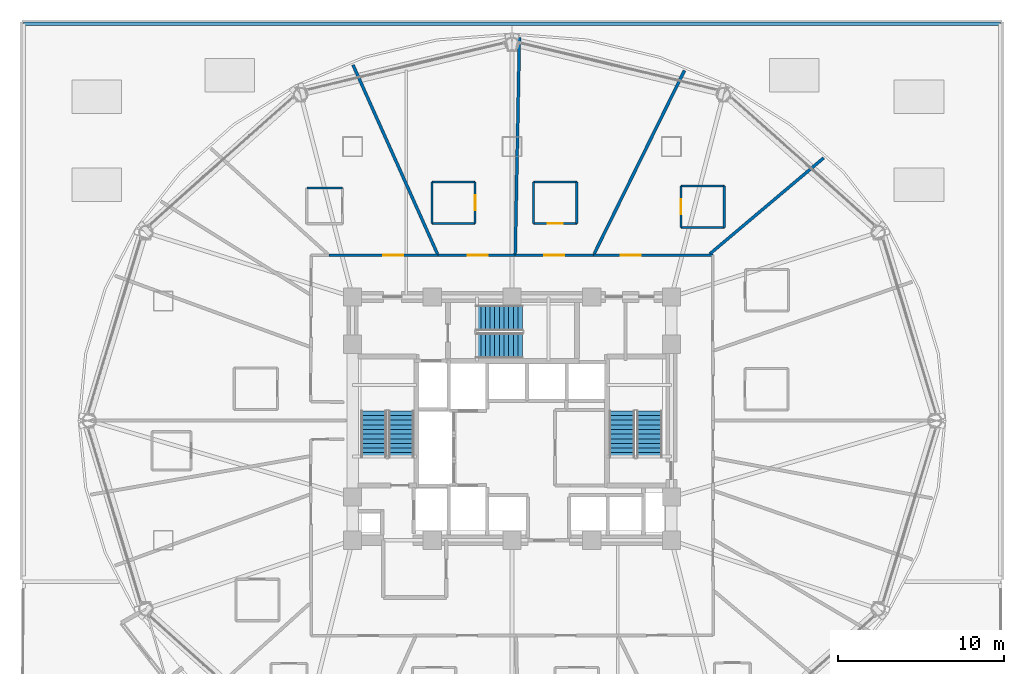
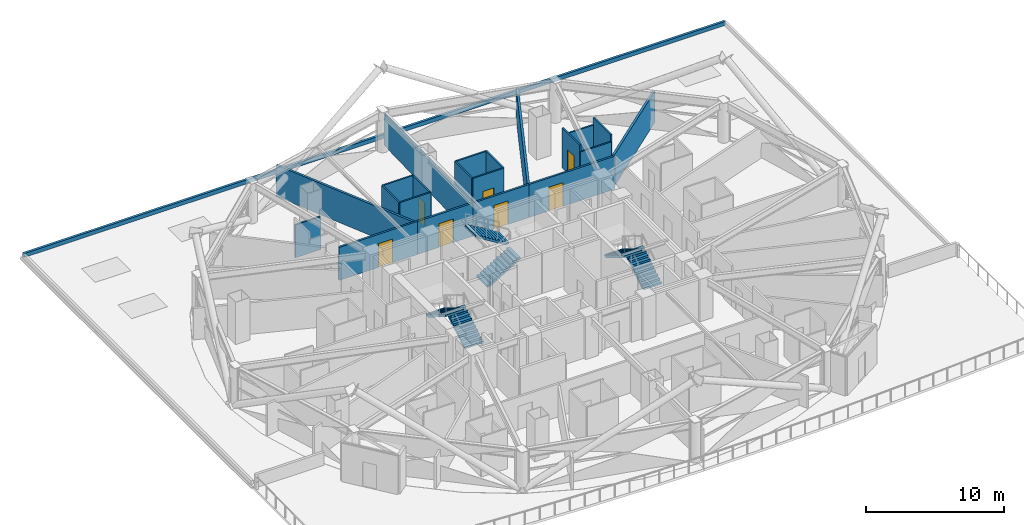
# One storey, part 23 of 27: 22 walls, 7 doors, 6 stair flights, 7 openings, 3 elements without a shape of their own.
"""IFC4 building model written with IfcOpenShell, lengths in metres."""

from ifc_helpers import new_model, si_unit, direction, frame, frame_2d, origin, place, context, subcontext, project, spatial, polyline, rectangle, outline, extrude, material, layer, layer_set, type_object, element, fill, aggregate, save


model = new_model("IFC4")

# Units and contexts
model_context = context("Model", 3, precision=1e-05, world=origin(), true_north=direction((0.0, 1.0)))
body_context = subcontext(model_context, "Body", "Model", "MODEL_VIEW")
ifc_project = project(units=[si_unit("LENGTHUNIT", "METRE"), si_unit("AREAUNIT", "SQUARE_METRE"), si_unit("VOLUMEUNIT", "CUBIC_METRE"), si_unit("PLANEANGLEUNIT", "RADIAN"), si_unit("MASSUNIT", "GRAM", prefix="KILO")], contexts=[model_context])

# Site, building, storey
site_placement = place(None, origin())
site = spatial("IfcSite", under=ifc_project, at=site_placement, CompositionType="ELEMENT")
building_placement = place(site_placement, origin())
building = spatial("IfcBuilding", under=site, at=building_placement, Name="Vantalir Tower", CompositionType="ELEMENT")
storey_placement = place(building_placement, frame((0.0, 0.0, 27.0)))
storey = spatial("IfcBuildingStorey", under=building, at=storey_placement, Name="L05", CompositionType="ELEMENT", Elevation=27.0)

# Walls
ifc_material_1 = material(Name="Moisture-resistant en-suite partition", Category="gypsum")
ifc_layer_1 = layer(ifc_material_1, 0.125)
ifc_layer_set_1 = layer_set([ifc_layer_1], Name="Moisture-resistant en-suite partition")
wall_type_1 = type_object("IfcWallType", Name="WL-BATH-125", PredefinedType="PARTITIONING", material=ifc_layer_set_1)
for number, where, z_axis, x_axis, name in (
    (1, (41.680908203125, 36.62890625, 0.0), (0.0, 0.0, 1.0), (1.0, 0.0, 0.0), "L05 En-suite 03 South Wall"),
    (2, (41.680908203125, 39.12890625, 0.0), (0.0, 0.0, 1.0), (1.0, 0.0, 0.0), "L05 En-suite 03 North Wall"),
):
    element("IfcWall", number, at=place(storey_placement, frame(where, z_axis=z_axis, x_axis=x_axis)), inside=storey, type_object=wall_type_1, Name=name, PredefinedType="PARTITIONING", context=body_context, shape_type="SweptSolid", body=[
        extrude(rectangle(XDim=2.60009765625, YDim=0.125, at=frame_2d((1.300048828125, 0.0))), origin(), (0.0, 0.0, 1.0), 2.928955078125),
    ])

# Wall, opening, door
wall_1_placement = place(storey_placement, frame((41.680908203125, 36.62890625, 0.0), z_axis=(0.0, 0.0, 1.0), x_axis=(0.0, 1.0, 0.0)))
wall_1 = element("IfcWall", 3, at=wall_1_placement, inside=storey, type_object=wall_type_1, Name="L05 En-suite 03 West Wall", PredefinedType="PARTITIONING", context=body_context, shape_type="SweptSolid", body=[
    extrude(rectangle(XDim=2.5, YDim=0.125, at=frame_2d((1.25, 0.0))), origin(), (0.0, 0.0, 1.0), 3.550048828125),
])
opening_1_placement = place(wall_1_placement, frame((0.800048828125, 0.0, 0.0)))
opening_1 = element("IfcOpeningElement", 4, at=opening_1_placement, cuts=wall_1, Name="Opening D-WC", PredefinedType="OPENING", context=body_context, shape_type="SweptSolid", body=[
    extrude(rectangle(XDim=0.89990234375, YDim=2.10009765625, at=frame_2d((0.449951171875, 1.050048828125))), frame((0.0, 0.072509765625, 0.0), z_axis=(0.0, -1.0, 0.0), x_axis=(1.0, 0.0, 0.0)), (0.0, 0.0, 1.0), 0.14501953125),
])
ifc_material_2 = material(Name="Moisture-resistant hardwood door", Category="wood")
door_type_1 = type_object("IfcDoorType", Name="DR-ENSUITE-900", OperationType="NOTDEFINED", PredefinedType="DOOR", material=ifc_material_2)
door_1_placement = place(opening_1_placement, frame((0.89990234375, 0.0, 0.0), z_axis=(0.0, 0.0, 1.0), x_axis=(-1.0, 0.0, 0.0)))
door_1 = element("IfcDoor", 5, at=door_1_placement, inside=storey, type_object=door_type_1, Name="L05 En-suite 03 Door", OperationType="SINGLE_SWING_LEFT", OverallHeight=2.10009765625, OverallWidth=0.89990234375, PredefinedType="DOOR", context=body_context, shape_type="SweptSolid", body=[
    extrude(rectangle(XDim=0.89990234375, YDim=2.10009765625, at=frame_2d((0.449951171875, 1.050048828125))), frame((0.0, 0.02490234375, 0.0), z_axis=(0.0, -1.0, 0.0), x_axis=(1.0, 0.0, 0.0)), (0.0, 0.0, 1.0), 0.050048828125),
])
fill(opening_1, door_1)

# Wall
wall_2_placement = place(storey_placement, frame((44.281005859375, 36.62890625, 0.0), z_axis=(0.0, 0.0, 1.0), x_axis=(0.0, 1.0, 0.0)))
element("IfcWall", 6, at=wall_2_placement, inside=storey, type_object=wall_type_1, Name="L05 En-suite 03 East Wall", PredefinedType="PARTITIONING", context=body_context, shape_type="SweptSolid", body=[
    extrude(rectangle(XDim=2.5, YDim=0.125, at=frame_2d((1.25, 0.0))), origin(), (0.0, 0.0, 1.0), 3.550048828125),
])

# Wall, opening, door
wall_3_placement = place(storey_placement, frame((32.800048828125, 36.8720703125, 0.0), z_axis=(0.0, 0.0, 1.0), x_axis=(1.0, 0.0, 0.0)))
wall_3 = element("IfcWall", 7, at=wall_3_placement, inside=storey, type_object=wall_type_1, Name="L05 En-suite 04 South Wall", PredefinedType="PARTITIONING", context=body_context, shape_type="SweptSolid", body=[
    extrude(rectangle(XDim=2.599853515625, YDim=0.125, at=frame_2d((1.2998046875, 0.0))), origin(), (0.0, 0.0, 1.0), 3.550048828125),
])
opening_2_placement = place(wall_3_placement, frame((0.85009765625, 0.0, 0.0)))
opening_2 = element("IfcOpeningElement", 8, at=opening_2_placement, cuts=wall_3, Name="Opening D-WC", PredefinedType="OPENING", context=body_context, shape_type="SweptSolid", body=[
    extrude(rectangle(XDim=0.89990234375, YDim=2.10009765625, at=frame_2d((0.449951171875, 1.050048828125))), frame((0.0, 0.072509765625, 0.0), z_axis=(0.0, -1.0, 0.0), x_axis=(1.0, 0.0, 0.0)), (0.0, 0.0, 1.0), 0.14501953125),
])
door_2_placement = place(opening_2_placement, origin())
door_2 = element("IfcDoor", 9, at=door_2_placement, inside=storey, type_object=door_type_1, Name="L05 En-suite 04 Door", OperationType="SINGLE_SWING_RIGHT", OverallHeight=2.10009765625, OverallWidth=0.89990234375, PredefinedType="DOOR", context=body_context, shape_type="SweptSolid", body=[
    extrude(rectangle(XDim=0.89990234375, YDim=2.10009765625, at=frame_2d((0.449951171875, 1.050048828125))), frame((0.0, 0.02490234375, 0.0), z_axis=(0.0, -1.0, 0.0), x_axis=(1.0, 0.0, 0.0)), (0.0, 0.0, 1.0), 0.050048828125),
])
fill(opening_2, door_2)

# Walls
wall_4_placement = place(storey_placement, frame((32.800048828125, 39.3720703125, 0.0), z_axis=(0.0, 0.0, 1.0), x_axis=(1.0, 0.0, 0.0)))
element("IfcWall", 10, at=wall_4_placement, inside=storey, type_object=wall_type_1, Name="L05 En-suite 04 North Wall", PredefinedType="PARTITIONING", context=body_context, shape_type="SweptSolid", body=[
    extrude(rectangle(XDim=2.599853515625, YDim=0.125, at=frame_2d((1.2998046875, 0.0))), origin(), (0.0, 0.0, 1.0), 3.550048828125),
])
for number, where, z_axis, x_axis, name in (
    (11, (32.800048828125, 36.8720703125, 0.0), (0.0, 0.0, 1.0), (0.0, 1.0, 0.0), "L05 En-suite 04 West Wall"),
    (12, (35.39990234375, 36.8720703125, 0.0), (0.0, 0.0, 1.0), (0.0, 1.0, 0.0), "L05 En-suite 04 East Wall"),
):
    element("IfcWall", number, at=place(storey_placement, frame(where, z_axis=z_axis, x_axis=x_axis)), inside=storey, type_object=wall_type_1, Name=name, PredefinedType="PARTITIONING", context=body_context, shape_type="SweptSolid", body=[
        extrude(rectangle(XDim=2.5, YDim=0.125, at=frame_2d((1.25, 0.0))), origin(), (0.0, 0.0, 1.0), 3.550048828125),
    ])
for number, where, z_axis, x_axis, name in (
    (13, (26.68310546875, 36.8720703125, 0.0), (0.0, 0.0, 1.0), (1.0, 0.0, 0.0), "L05 En-suite 05 South Wall"),
    (14, (26.68310546875, 39.3720703125, 0.0), (0.0, 0.0, 1.0), (1.0, 0.0, 0.0), "L05 En-suite 05 North Wall"),
):
    element("IfcWall", number, at=place(storey_placement, frame(where, z_axis=z_axis, x_axis=x_axis)), inside=storey, type_object=wall_type_1, Name=name, PredefinedType="PARTITIONING", context=body_context, shape_type="SweptSolid", body=[
        extrude(rectangle(XDim=2.599853515625, YDim=0.125, at=frame_2d((1.2998046875, 0.0))), origin(), (0.0, 0.0, 1.0), 3.550048828125),
    ])
wall_5_placement = place(storey_placement, frame((26.68310546875, 36.8720703125, 0.0), z_axis=(0.0, 0.0, 1.0), x_axis=(0.0, 1.0, 0.0)))
element("IfcWall", 15, at=wall_5_placement, inside=storey, type_object=wall_type_1, Name="L05 En-suite 05 West Wall", PredefinedType="PARTITIONING", context=body_context, shape_type="SweptSolid", body=[
    extrude(rectangle(XDim=2.5, YDim=0.125, at=frame_2d((1.25, 0.0))), origin(), (0.0, 0.0, 1.0), 3.550048828125),
])

# Wall, opening, door
wall_6_placement = place(storey_placement, frame((29.282958984375, 36.8720703125, 0.0), z_axis=(0.0, 0.0, 1.0), x_axis=(0.0, 1.0, 0.0)))
wall_6 = element("IfcWall", 16, at=wall_6_placement, inside=storey, type_object=wall_type_1, Name="L05 En-suite 05 East Wall", PredefinedType="PARTITIONING", context=body_context, shape_type="SweptSolid", body=[
    extrude(rectangle(XDim=2.5, YDim=0.125, at=frame_2d((1.25, 0.0))), origin(), (0.0, 0.0, 1.0), 3.550048828125),
])
opening_3_placement = place(wall_6_placement, frame((0.800048828125, 0.0, 0.0)))
opening_3 = element("IfcOpeningElement", 17, at=opening_3_placement, cuts=wall_6, Name="Opening D-WC", PredefinedType="OPENING", context=body_context, shape_type="SweptSolid", body=[
    extrude(rectangle(XDim=0.89990234375, YDim=2.10009765625, at=frame_2d((0.449951171875, 1.050048828125))), frame((0.0, 0.072509765625, 0.0), z_axis=(0.0, -1.0, 0.0), x_axis=(1.0, 0.0, 0.0)), (0.0, 0.0, 1.0), 0.14501953125),
])
door_3_placement = place(opening_3_placement, origin())
door_3 = element("IfcDoor", 18, at=door_3_placement, inside=storey, type_object=door_type_1, Name="L05 En-suite 05 Door", OperationType="SINGLE_SWING_LEFT", OverallHeight=2.10009765625, OverallWidth=0.89990234375, PredefinedType="DOOR", context=body_context, shape_type="SweptSolid", body=[
    extrude(rectangle(XDim=0.89990234375, YDim=2.10009765625, at=frame_2d((0.449951171875, 1.050048828125))), frame((0.0, 0.02490234375, 0.0), z_axis=(0.0, -1.0, 0.0), x_axis=(1.0, 0.0, 0.0)), (0.0, 0.0, 1.0), 0.050048828125),
])
fill(opening_3, door_3)

# Wall
wall_7_placement = place(storey_placement, frame((19.14208984375, 39.0048828125, 0.0), z_axis=(0.0, 0.0, 1.0), x_axis=(1.0, 0.0, 0.0)))
element("IfcWall", 19, at=wall_7_placement, inside=storey, type_object=wall_type_1, Name="L05 En-suite 06 North Wall", PredefinedType="PARTITIONING", context=body_context, shape_type="SweptSolid", body=[
    extrude(rectangle(XDim=2.14990234375, YDim=0.125, at=frame_2d((1.074951171875, 0.0))), origin(), (0.0, 0.0, 1.0), 2.928955078125),
])

# Wall, opening, door
ifc_material_3 = material(Name="Fire-rated hotel corridor acoustic partition", Category="gypsum")
ifc_layer_2 = layer(ifc_material_3, 0.159912109375)
ifc_layer_set_2 = layer_set([ifc_layer_2], Name="Fire-rated hotel corridor acoustic partition")
wall_type_2 = type_object("IfcWallType", Name="WL-CORR-160", PredefinedType="PARTITIONING", material=ifc_layer_set_2)
wall_8_placement = place(storey_placement, frame((20.48095703125, 34.9599609375, 0.0), z_axis=(0.0, 0.0, 1.0), x_axis=(1.0, 0.0, 0.0)))
wall_8 = element("IfcWall", 20, at=wall_8_placement, inside=storey, type_object=wall_type_2, Name="L05 Corridor Partition 06", PredefinedType="PARTITIONING", context=body_context, shape_type="SweptSolid", body=[
    extrude(rectangle(XDim=6.567138671875, YDim=0.159912109375, at=frame_2d((3.28369140625, 0.0))), origin(), (0.0, 0.0, 1.0), 2.928955078125),
])
opening_4_placement = place(wall_8_placement, frame((3.277099609375, 0.0, 0.0)))
opening_4 = element("IfcOpeningElement", 21, at=opening_4_placement, cuts=wall_8, Name="Opening D-STE", PredefinedType="OPENING", context=body_context, shape_type="SweptSolid", body=[
    extrude(rectangle(XDim=1.199951171875, YDim=2.10009765625, at=frame_2d((0.60009765625, 1.050048828125))), frame((0.0, 0.08984375, 0.0), z_axis=(0.0, -1.0, 0.0), x_axis=(1.0, 0.0, 0.0)), (0.0, 0.0, 1.0), 0.179931640625),
])
ifc_material_4 = material(Name="Solid-core teak veneer suite entrance door", Category="wood")
door_type_2 = type_object("IfcDoorType", Name="DR-SUITE-ENTRY-1200", OperationType="NOTDEFINED", PredefinedType="DOOR", material=ifc_material_4)
door_4_placement = place(opening_4_placement, origin())
door_4 = element("IfcDoor", 22, at=door_4_placement, inside=storey, type_object=door_type_2, Name="L05 Executive Club Hotel Suite 06 Door", OperationType="SINGLE_SWING_RIGHT", OverallHeight=2.10009765625, OverallWidth=1.199951171875, PredefinedType="DOOR", context=body_context, shape_type="SweptSolid", body=[
    extrude(rectangle(XDim=1.199951171875, YDim=2.10009765625, at=frame_2d((0.60009765625, 1.050048828125))), frame((0.0, 0.02490234375, 0.0), z_axis=(0.0, -1.0, 0.0), x_axis=(1.0, 0.0, 0.0)), (0.0, 0.0, 1.0), 0.050048828125),
])
fill(opening_4, door_4)

wall_9_placement = place(storey_placement, frame((27.048095703125, 34.9599609375, 0.0), z_axis=(0.0, 0.0, 1.0), x_axis=(1.0, 0.0, 0.0)))
wall_9 = element("IfcWall", 23, at=wall_9_placement, inside=storey, type_object=wall_type_2, Name="L05 Corridor Partition 07", PredefinedType="PARTITIONING", context=body_context, shape_type="SweptSolid", body=[
    extrude(rectangle(XDim=4.643798828125, YDim=0.159912109375, at=frame_2d((2.32177734375, 0.0))), origin(), (0.0, 0.0, 1.0), 2.928955078125),
])
opening_5_placement = place(wall_9_placement, frame((1.7958984375, 0.0, 0.0)))
opening_5 = element("IfcOpeningElement", 24, at=opening_5_placement, cuts=wall_9, Name="Opening D-STE", PredefinedType="OPENING", context=body_context, shape_type="SweptSolid", body=[
    extrude(rectangle(XDim=1.199951171875, YDim=2.10009765625, at=frame_2d((0.60009765625, 1.050048828125))), frame((0.0, 0.08984375, 0.0), z_axis=(0.0, -1.0, 0.0), x_axis=(1.0, 0.0, 0.0)), (0.0, 0.0, 1.0), 0.179931640625),
])
door_5_placement = place(opening_5_placement, origin())
door_5 = element("IfcDoor", 25, at=door_5_placement, inside=storey, type_object=door_type_2, Name="L05 Corner Panorama Hotel Suite 05 Door", OperationType="SINGLE_SWING_LEFT", OverallHeight=2.10009765625, OverallWidth=1.199951171875, PredefinedType="DOOR", context=body_context, shape_type="SweptSolid", body=[
    extrude(rectangle(XDim=1.199951171875, YDim=2.10009765625, at=frame_2d((0.60009765625, 1.050048828125))), frame((0.0, 0.02490234375, 0.0), z_axis=(0.0, -1.0, 0.0), x_axis=(1.0, 0.0, 0.0)), (0.0, 0.0, 1.0), 0.050048828125),
])
fill(opening_5, door_5)

wall_10_placement = place(storey_placement, frame((31.69189453125, 34.9599609375, 0.0), z_axis=(0.0, 0.0, 1.0), x_axis=(1.0, 0.0, 0.0)))
wall_10 = element("IfcWall", 26, at=wall_10_placement, inside=storey, type_object=wall_type_2, Name="L05 Corridor Partition 08", PredefinedType="PARTITIONING", context=body_context, shape_type="SweptSolid", body=[
    extrude(rectangle(XDim=4.714111328125, YDim=0.159912109375, at=frame_2d((2.35693359375, 0.0))), origin(), (0.0, 0.0, 1.0), 2.928955078125),
])
opening_6_placement = place(wall_10_placement, frame((1.757080078125, 0.0, 0.0)))
opening_6 = element("IfcOpeningElement", 27, at=opening_6_placement, cuts=wall_10, Name="Opening D-STE", PredefinedType="OPENING", context=body_context, shape_type="SweptSolid", body=[
    extrude(rectangle(XDim=1.199951171875, YDim=2.10009765625, at=frame_2d((0.60009765625, 1.050048828125))), frame((0.0, 0.08984375, 0.0), z_axis=(0.0, -1.0, 0.0), x_axis=(1.0, 0.0, 0.0)), (0.0, 0.0, 1.0), 0.179931640625),
])
door_6_placement = place(opening_6_placement, origin())
door_6 = element("IfcDoor", 28, at=door_6_placement, inside=storey, type_object=door_type_2, Name="L05 Executive Club Hotel Suite 04 Door", OperationType="SINGLE_SWING_RIGHT", OverallHeight=2.10009765625, OverallWidth=1.199951171875, PredefinedType="DOOR", context=body_context, shape_type="SweptSolid", body=[
    extrude(rectangle(XDim=1.199951171875, YDim=2.10009765625, at=frame_2d((0.60009765625, 1.050048828125))), frame((0.0, 0.02490234375, 0.0), z_axis=(0.0, -1.0, 0.0), x_axis=(1.0, 0.0, 0.0)), (0.0, 0.0, 1.0), 0.050048828125),
])
fill(opening_6, door_6)

wall_11_placement = place(storey_placement, frame((36.406005859375, 34.9599609375, 0.0), z_axis=(0.0, 0.0, 1.0), x_axis=(1.0, 0.0, 0.0)))
wall_11 = element("IfcWall", 29, at=wall_11_placement, inside=storey, type_object=wall_type_2, Name="L05 Corridor Partition 09", PredefinedType="PARTITIONING", context=body_context, shape_type="SweptSolid", body=[
    extrude(rectangle(XDim=7.18798828125, YDim=0.159912109375, at=frame_2d((3.593994140625, 0.0))), origin(), (0.0, 0.0, 1.0), 2.928955078125),
])
opening_7_placement = place(wall_11_placement, frame((1.652099609375, 0.0, 0.0)))
opening_7 = element("IfcOpeningElement", 30, at=opening_7_placement, cuts=wall_11, Name="Opening D-STE", PredefinedType="OPENING", context=body_context, shape_type="SweptSolid", body=[
    extrude(rectangle(XDim=1.199951171875, YDim=2.10009765625, at=frame_2d((0.60009765625, 1.050048828125))), frame((0.0, 0.08984375, 0.0), z_axis=(0.0, -1.0, 0.0), x_axis=(1.0, 0.0, 0.0)), (0.0, 0.0, 1.0), 0.179931640625),
])
door_7_placement = place(opening_7_placement, origin())
door_7 = element("IfcDoor", 31, at=door_7_placement, inside=storey, type_object=door_type_2, Name="L05 Corner Panorama Hotel Suite 03 Door", OperationType="SINGLE_SWING_LEFT", OverallHeight=2.10009765625, OverallWidth=1.199951171875, PredefinedType="DOOR", context=body_context, shape_type="SweptSolid", body=[
    extrude(rectangle(XDim=1.199951171875, YDim=2.10009765625, at=frame_2d((0.60009765625, 1.050048828125))), frame((0.0, 0.02490234375, 0.0), z_axis=(0.0, -1.0, 0.0), x_axis=(1.0, 0.0, 0.0)), (0.0, 0.0, 1.0), 0.050048828125),
])
fill(opening_7, door_7)

# Walls
ifc_material_5 = material(Name="Twin-stud acoustic fire-rated gypsum partition", Category="gypsum")
ifc_layer_3 = layer(ifc_material_5, 0.179931640625)
ifc_layer_set_3 = layer_set([ifc_layer_3], Name="Twin-stud acoustic fire-rated gypsum partition")
wall_type_3 = type_object("IfcWallType", Name="WL-GUEST-180", PredefinedType="PARTITIONING", material=ifc_layer_set_3)
wall_12_placement = place(storey_placement, frame((43.410888671875, 35.0400390625, 0.0), z_axis=(0.0, 0.0, 1.0), x_axis=(0.764587593567, 0.644519830388, 0.0)))
element("IfcWall", 32, at=wall_12_placement, inside=storey, type_object=wall_type_3, Name="L05 Radial Suite Partition 03", PredefinedType="PARTITIONING", context=body_context, shape_type="SweptSolid", body=[
    extrude(rectangle(XDim=8.963134765625, YDim=0.179931640625, at=frame_2d((4.4814453125, 0.0))), origin(), (0.0, 0.0, 1.0), 2.77490234375),
])
wall_13_placement = place(storey_placement, frame((36.445068359375, 35.0400390625, 0.0), z_axis=(0.0, 0.0, 1.0), x_axis=(0.441843629781, 0.897092083803, 0.0)))
element("IfcWall", 33, at=wall_13_placement, inside=storey, type_object=wall_type_3, Name="L05 Radial Suite Partition 04", PredefinedType="PARTITIONING", context=body_context, shape_type="SweptSolid", body=[
    extrude(rectangle(XDim=12.31201171875, YDim=0.179931640625, at=frame_2d((6.156005859375, 0.0))), origin(), (0.0, 0.0, 1.0), 2.77490234375),
])
wall_14_placement = place(storey_placement, frame((31.694091796875, 35.0400390625, 0.0), z_axis=(0.0, 0.0, 1.0), x_axis=(0.019319341517, 0.999813364105, 0.0)))
element("IfcWall", 34, at=wall_14_placement, inside=storey, type_object=wall_type_3, Name="L05 Radial Suite Partition 05", PredefinedType="PARTITIONING", context=body_context, shape_type="SweptSolid", body=[
    extrude(rectangle(XDim=13.04150390625, YDim=0.179931640625, at=frame_2d((6.520751953125, 0.0))), origin(), (0.0, 0.0, 1.0), 2.77490234375),
])
wall_15_placement = place(storey_placement, frame((27.011962890625, 35.0400390625, 0.0), z_axis=(0.0, 0.0, 1.0), x_axis=(-0.408027237048, 0.912969755155, 0.0)))
element("IfcWall", 35, at=wall_15_placement, inside=storey, type_object=wall_type_3, Name="L05 Radial Suite Partition 06", PredefinedType="PARTITIONING", context=body_context, shape_type="SweptSolid", body=[
    extrude(rectangle(XDim=12.467041015625, YDim=0.179931640625, at=frame_2d((6.2333984375, 0.0))), origin(), (0.0, 0.0, 1.0), 2.77490234375),
])
ifc_material_6 = material(Name="Concrete C40/50 parapet upstand", Category="concrete")
ifc_layer_4 = layer(ifc_material_6, 0.199951171875)
ifc_layer_set_4 = layer_set([ifc_layer_4], Name="Concrete C40/50 parapet upstand")
wall_type_4 = type_object("IfcWallType", Name="WL-PARA-200", PredefinedType="PARAPET", material=ifc_layer_set_4)
wall_16_placement = place(storey_placement, frame((60.89990234375, 48.89990234375, 0.02001953125), z_axis=(0.0, 0.0, 1.0), x_axis=(-1.0, 0.0, 0.0)))
element("IfcWall", 36, at=wall_16_placement, inside=storey, type_object=wall_type_4, Name="L05 Unoccupied Roof Upstand North", PredefinedType="PARAPET", context=body_context, shape_type="SweptSolid", body=[
    extrude(rectangle(XDim=58.7998046875, YDim=0.199951171875, at=frame_2d((29.39990234375, 0.0))), origin(), (0.0, 0.0, 1.0), 0.35009765625),
])

# Stair, stair flights
ifc_material_7 = material(Name="Concrete C40/50", Category="concrete")
stair_type = type_object("IfcStairType", Name="STR-CORE-1450", PredefinedType="HALF_TURN_STAIR", material=ifc_material_7)
stair_1_placement = place(storey_placement, origin())
stair_1 = element("IfcStair", 37, at=stair_1_placement, inside=storey, type_object=stair_type, Name="L05 Core Exit Stair 1", PredefinedType="HALF_TURN_STAIR")
stair_flight_type = type_object("IfcStairFlightType", Name="FLT-CORE-1450", PredefinedType="STRAIGHT", material=ifc_material_7)
stair_flight_1_placement = place(storey_placement, frame((24.830078125, 22.7900390625, 0.0), z_axis=(0.0, 0.0, 1.0), x_axis=(0.0, 1.0, 0.0)))
stair_flight_1 = element("IfcStairFlight", 38, at=stair_flight_1_placement, type_object=stair_flight_type, Name="ST1 flight 1", NumberOfRisers=11, NumberOfTreads=10, PredefinedType="STRAIGHT", RiserHeight=0.170454545, TreadLength=0.28, context=body_context, shape_type="SweptSolid", body=[
    extrude(outline(polyline([(0.0, 0.0), (0.0, 0.17041015625), (0.280029296875, 0.17041015625), (0.280029296875, 0.3408203125), (0.56005859375, 0.3408203125), (0.56005859375, 0.511474609375), (0.840087890625, 0.511474609375), (0.840087890625, 0.681884765625), (1.1201171875, 0.681884765625), (1.1201171875, 0.852294921875), (1.39990234375, 0.852294921875), (1.39990234375, 1.022705078125), (1.679931640625, 1.022705078125), (1.679931640625, 1.193115234375), (1.9599609375, 1.193115234375), (1.9599609375, 1.363525390625), (2.239990234375, 1.363525390625), (2.239990234375, 1.5341796875), (2.52001953125, 1.5341796875), (2.52001953125, 1.70458984375), (2.800048828125, 1.70458984375), (2.800048828125, 1.875), (2.800048828125, 1.529052734375), (0.288330078125, 0.0), (0.0, 0.0)])), frame((0.0, 0.77001953125, 0.0), z_axis=(0.0, -1.0, 0.0), x_axis=(1.0, 0.0, 0.0)), (0.0, 0.0, 1.0), 1.5400390625),
])
stair_flight_2_placement = place(storey_placement, frame((23.169921875, 25.590087890625, 1.875), z_axis=(0.0, 0.0, 1.0), x_axis=(0.0, -1.0, 0.0)))
stair_flight_2 = element("IfcStairFlight", 39, at=stair_flight_2_placement, type_object=stair_flight_type, Name="ST1 flight 2", NumberOfRisers=11, NumberOfTreads=10, PredefinedType="STRAIGHT", RiserHeight=0.170454545, TreadLength=0.28, context=body_context, shape_type="SweptSolid", body=[
    extrude(outline(polyline([(0.0, 0.0), (0.0, 0.17041015625), (0.280029296875, 0.17041015625), (0.280029296875, 0.3408203125), (0.56005859375, 0.3408203125), (0.56005859375, 0.511474609375), (0.840087890625, 0.511474609375), (0.840087890625, 0.681884765625), (1.1201171875, 0.681884765625), (1.1201171875, 0.852294921875), (1.39990234375, 0.852294921875), (1.39990234375, 1.022705078125), (1.679931640625, 1.022705078125), (1.679931640625, 1.193115234375), (1.9599609375, 1.193115234375), (1.9599609375, 1.363525390625), (2.239990234375, 1.363525390625), (2.239990234375, 1.5341796875), (2.52001953125, 1.5341796875), (2.52001953125, 1.70458984375), (2.800048828125, 1.70458984375), (2.800048828125, 1.875), (2.800048828125, 1.529052734375), (0.288330078125, 0.0), (0.0, 0.0)])), frame((0.0, 0.77001953125, 0.0), z_axis=(0.0, -1.0, 0.0), x_axis=(1.0, 0.0, 0.0)), (0.0, 0.0, 1.0), 1.5400390625),
])
aggregate(stair_1, [stair_flight_1, stair_flight_2])

stair_2_placement = place(storey_placement, origin())
stair_2 = element("IfcStair", 40, at=stair_2_placement, inside=storey, type_object=stair_type, Name="L05 Core Exit Stair 2", PredefinedType="HALF_TURN_STAIR")
stair_flight_3_placement = place(storey_placement, frame((39.780029296875, 22.7900390625, 0.0), z_axis=(0.0, 0.0, 1.0), x_axis=(0.0, 1.0, 0.0)))
stair_flight_3 = element("IfcStairFlight", 41, at=stair_flight_3_placement, type_object=stair_flight_type, Name="ST2 flight 1", NumberOfRisers=11, NumberOfTreads=10, PredefinedType="STRAIGHT", RiserHeight=0.170454545, TreadLength=0.28, context=body_context, shape_type="SweptSolid", body=[
    extrude(outline(polyline([(0.0, 0.0), (0.0, 0.17041015625), (0.280029296875, 0.17041015625), (0.280029296875, 0.3408203125), (0.56005859375, 0.3408203125), (0.56005859375, 0.511474609375), (0.840087890625, 0.511474609375), (0.840087890625, 0.681884765625), (1.1201171875, 0.681884765625), (1.1201171875, 0.852294921875), (1.39990234375, 0.852294921875), (1.39990234375, 1.022705078125), (1.679931640625, 1.022705078125), (1.679931640625, 1.193115234375), (1.9599609375, 1.193115234375), (1.9599609375, 1.363525390625), (2.239990234375, 1.363525390625), (2.239990234375, 1.5341796875), (2.52001953125, 1.5341796875), (2.52001953125, 1.70458984375), (2.800048828125, 1.70458984375), (2.800048828125, 1.875), (2.800048828125, 1.529052734375), (0.288330078125, 0.0), (0.0, 0.0)])), frame((0.0, 0.77001953125, 0.0), z_axis=(0.0, -1.0, 0.0), x_axis=(1.0, 0.0, 0.0)), (0.0, 0.0, 1.0), 1.5400390625),
])
stair_flight_4_placement = place(storey_placement, frame((38.1201171875, 25.590087890625, 1.875), z_axis=(0.0, 0.0, 1.0), x_axis=(0.0, -1.0, 0.0)))
stair_flight_4 = element("IfcStairFlight", 42, at=stair_flight_4_placement, type_object=stair_flight_type, Name="ST2 flight 2", NumberOfRisers=11, NumberOfTreads=10, PredefinedType="STRAIGHT", RiserHeight=0.170454545, TreadLength=0.28, context=body_context, shape_type="SweptSolid", body=[
    extrude(outline(polyline([(0.0, 0.0), (0.0, 0.17041015625), (0.280029296875, 0.17041015625), (0.280029296875, 0.3408203125), (0.56005859375, 0.3408203125), (0.56005859375, 0.511474609375), (0.840087890625, 0.511474609375), (0.840087890625, 0.681884765625), (1.1201171875, 0.681884765625), (1.1201171875, 0.852294921875), (1.39990234375, 0.852294921875), (1.39990234375, 1.022705078125), (1.679931640625, 1.022705078125), (1.679931640625, 1.193115234375), (1.9599609375, 1.193115234375), (1.9599609375, 1.363525390625), (2.239990234375, 1.363525390625), (2.239990234375, 1.5341796875), (2.52001953125, 1.5341796875), (2.52001953125, 1.70458984375), (2.800048828125, 1.70458984375), (2.800048828125, 1.875), (2.800048828125, 1.529052734375), (0.288330078125, 0.0), (0.0, 0.0)])), frame((0.0, 0.77001953125, 0.0), z_axis=(0.0, -1.0, 0.0), x_axis=(1.0, 0.0, 0.0)), (0.0, 0.0, 1.0), 1.5400390625),
])
aggregate(stair_2, [stair_flight_3, stair_flight_4])

stair_3_placement = place(storey_placement, origin())
stair_3 = element("IfcStair", 43, at=stair_3_placement, inside=storey, type_object=stair_type, Name="L05 Core Exit Stair 3", PredefinedType="HALF_TURN_STAIR")
stair_flight_5_placement = place(storey_placement, frame((29.340087890625, 29.52001953125, 0.0), z_axis=(0.0, 0.0, 1.0), x_axis=(1.0, 0.0, 0.0)))
stair_flight_5 = element("IfcStairFlight", 44, at=stair_flight_5_placement, type_object=stair_flight_type, Name="ST3 flight 1", NumberOfRisers=11, NumberOfTreads=10, PredefinedType="STRAIGHT", RiserHeight=0.170454545, TreadLength=0.28, context=body_context, shape_type="SweptSolid", body=[
    extrude(outline(polyline([(0.0, 0.0), (0.0, 0.17041015625), (0.280029296875, 0.17041015625), (0.280029296875, 0.3408203125), (0.56005859375, 0.3408203125), (0.56005859375, 0.511474609375), (0.840087890625, 0.511474609375), (0.840087890625, 0.681884765625), (1.1201171875, 0.681884765625), (1.1201171875, 0.852294921875), (1.39990234375, 0.852294921875), (1.39990234375, 1.022705078125), (1.679931640625, 1.022705078125), (1.679931640625, 1.193115234375), (1.9599609375, 1.193115234375), (1.9599609375, 1.363525390625), (2.239990234375, 1.363525390625), (2.239990234375, 1.5341796875), (2.52001953125, 1.5341796875), (2.52001953125, 1.70458984375), (2.800048828125, 1.70458984375), (2.800048828125, 1.875), (2.800048828125, 1.529052734375), (0.288330078125, 0.0), (0.0, 0.0)])), frame((0.0, 0.77001953125, 0.0), z_axis=(0.0, -1.0, 0.0), x_axis=(1.0, 0.0, 0.0)), (0.0, 0.0, 1.0), 1.5400390625),
])
stair_flight_6_placement = place(storey_placement, frame((32.139892578125, 31.179931640625, 1.875), z_axis=(0.0, 0.0, 1.0), x_axis=(-1.0, 0.0, 0.0)))
stair_flight_6 = element("IfcStairFlight", 45, at=stair_flight_6_placement, type_object=stair_flight_type, Name="ST3 flight 2", NumberOfRisers=11, NumberOfTreads=10, PredefinedType="STRAIGHT", RiserHeight=0.170454545, TreadLength=0.28, context=body_context, shape_type="SweptSolid", body=[
    extrude(outline(polyline([(0.0, 0.0), (0.0, 0.17041015625), (0.280029296875, 0.17041015625), (0.280029296875, 0.3408203125), (0.56005859375, 0.3408203125), (0.56005859375, 0.511474609375), (0.840087890625, 0.511474609375), (0.840087890625, 0.681884765625), (1.1201171875, 0.681884765625), (1.1201171875, 0.852294921875), (1.39990234375, 0.852294921875), (1.39990234375, 1.022705078125), (1.679931640625, 1.022705078125), (1.679931640625, 1.193115234375), (1.9599609375, 1.193115234375), (1.9599609375, 1.363525390625), (2.239990234375, 1.363525390625), (2.239990234375, 1.5341796875), (2.52001953125, 1.5341796875), (2.52001953125, 1.70458984375), (2.800048828125, 1.70458984375), (2.800048828125, 1.875), (2.800048828125, 1.529052734375), (0.288330078125, 0.0), (0.0, 0.0)])), frame((0.0, 0.77001953125, 0.0), z_axis=(0.0, -1.0, 0.0), x_axis=(1.0, 0.0, 0.0)), (0.0, 0.0, 1.0), 1.5400390625),
])
aggregate(stair_3, [stair_flight_5, stair_flight_6])

save(model, "model.ifc")
